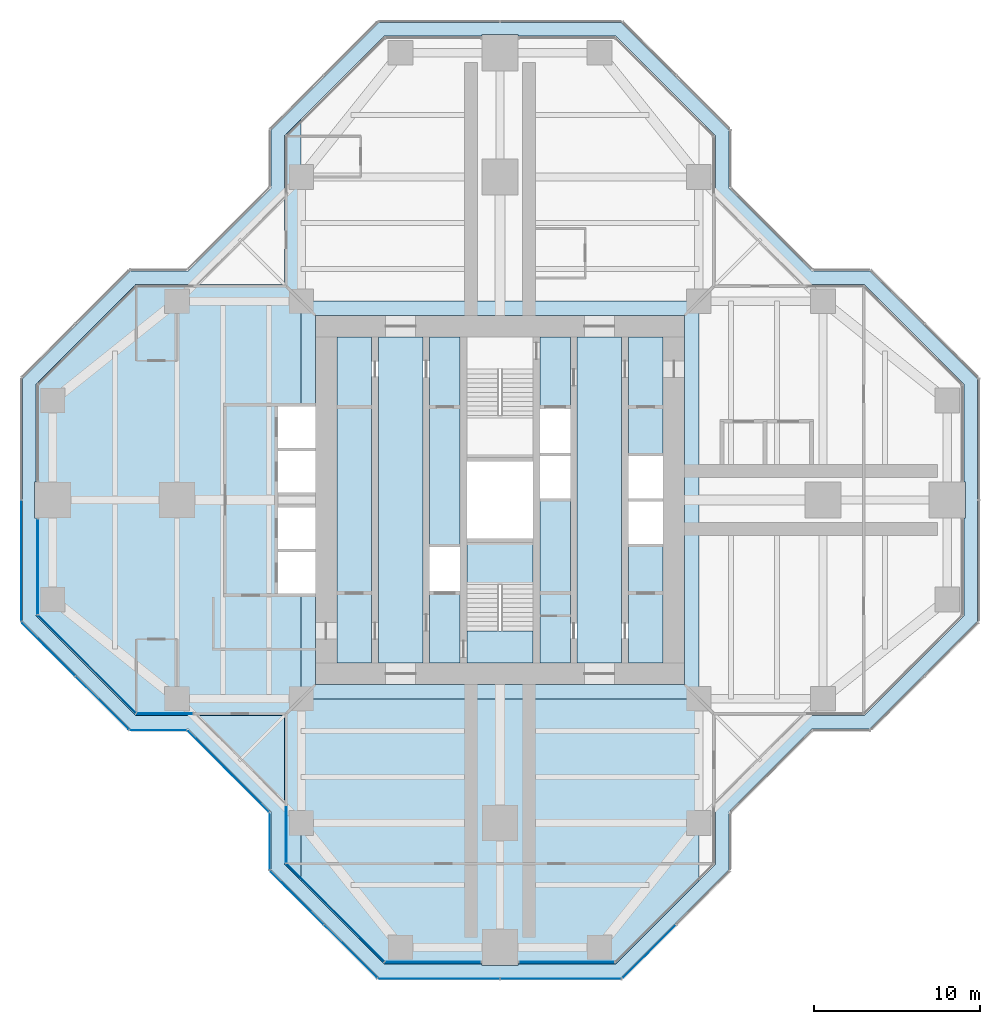
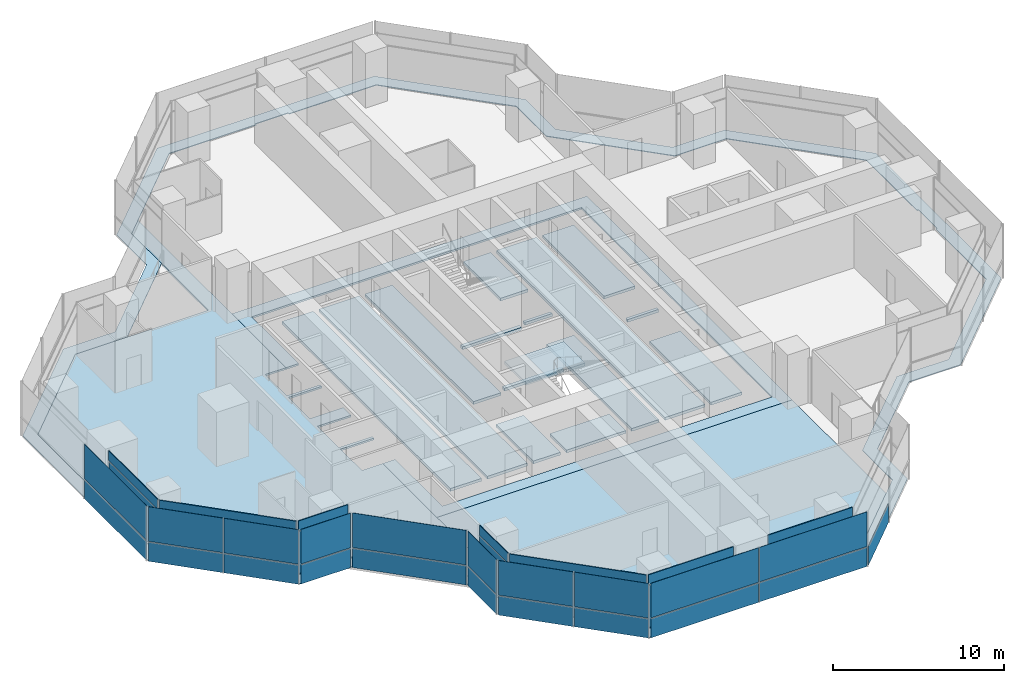
# One storey, part 10 of 17: 36 plates, 7 slabs, 16 elements without a shape of their own.
"""IFC4 building model written with IfcOpenShell, lengths in metres."""

from ifc_helpers import new_model, si_unit, direction, frame, origin, origin_2d, place, context, subcontext, project, spatial, polyline, rectangle, outline, extrude, material, layer, layer_set, type_object, element, aggregate, save


model = new_model("IFC4")

# Units and contexts
model_context = context("Model", 3, precision=1e-05, world=origin(), true_north=direction((0.0, 1.0)))
body_context = subcontext(model_context, "Body", "Model", "MODEL_VIEW")
ifc_project = project(units=[si_unit("LENGTHUNIT", "METRE"), si_unit("AREAUNIT", "SQUARE_METRE"), si_unit("VOLUMEUNIT", "CUBIC_METRE"), si_unit("PLANEANGLEUNIT", "RADIAN"), si_unit("MASSUNIT", "GRAM", prefix="KILO")], contexts=[model_context])

# Site, building, storey
site_placement = place(None, origin())
site = spatial("IfcSite", under=ifc_project, at=site_placement, CompositionType="ELEMENT")
building_placement = place(site_placement, origin())
building = spatial("IfcBuilding", under=site, at=building_placement, Name="Mizan Broadcast Tower", CompositionType="ELEMENT")
storey_placement = place(building_placement, frame((0.0, 0.0, 208.800048828125)))
storey = spatial("IfcBuildingStorey", under=building, at=storey_placement, Name="L48", CompositionType="ELEMENT", Elevation=208.800048828125)

# Plate
ifc_material_1 = material(Name="Aluminium grating", Category="aluminium")
ifc_layer_1 = layer(ifc_material_1, 0.050048828125)
ifc_layer_set_1 = layer_set([ifc_layer_1], Name="Aluminium grating")
plate_type_1 = type_object("IfcPlateType", Name="CAVITY GRATING", PredefinedType="USERDEFINED", material=ifc_layer_set_1)
plate_1_placement = place(storey_placement, frame((0.0, 0.0, -0.050048828125)))
element("IfcPlate", 1, at=plate_1_placement, inside=storey, type_object=plate_type_1, Name="Cavity grating L48", ObjectType="GRATING", PredefinedType="USERDEFINED", context=body_context, shape_type="SweptSolid", body=[
    extrude(outline(polyline([(13.820068359375, -18.839599609375), (18.839599609375, -13.820068359375), (22.339599609375, -13.820068359375), (28.820068359375, -7.339599609375), (28.820068359375, 7.339599609375), (22.339599609375, 13.820068359375), (18.839599609375, 13.820068359375), (13.820068359375, 18.839599609375), (13.820068359375, 22.339599609375), (7.339599609375, 28.820068359375), (-7.339599609375, 28.820068359375), (-13.820068359375, 22.339599609375), (-13.820068359375, 18.839599609375), (-18.839599609375, 13.820068359375), (-22.339599609375, 13.820068359375), (-28.820068359375, 7.339599609375), (-28.820068359375, -7.339599609375), (-22.339599609375, -13.820068359375), (-18.839599609375, -13.820068359375), (-13.820068359375, -18.839599609375), (-13.820068359375, -22.339599609375), (-7.339599609375, -28.820068359375), (7.339599609375, -28.820068359375), (13.820068359375, -22.339599609375), (13.820068359375, -18.839599609375)]), holes=[polyline([(28.0, -1.10009765625), (28.0, -7.0), (22.0, -13.0), (18.5, -13.0), (13.0, -18.5), (13.0, -22.0), (7.0, -28.0), (1.10009765625, -28.0), (1.10009765625, -28.10009765625), (-1.10009765625, -28.10009765625), (-1.10009765625, -28.0), (-7.0, -28.0), (-13.0, -22.0), (-13.0, -18.5), (-18.5, -13.0), (-22.0, -13.0), (-28.0, -7.0), (-28.0, -1.10009765625), (-28.10009765625, -1.10009765625), (-28.10009765625, 1.10009765625), (-28.0, 1.10009765625), (-28.0, 7.0), (-22.0, 13.0), (-18.5, 13.0), (-13.0, 18.5), (-13.0, 22.0), (-7.0, 28.0), (-1.10009765625, 28.0), (-1.10009765625, 28.10009765625), (1.10009765625, 28.10009765625), (1.10009765625, 28.0), (7.0, 28.0), (13.0, 22.0), (13.0, 18.5), (18.5, 13.0), (22.0, 13.0), (28.0, 7.0), (28.0, 1.10009765625), (28.10009765625, 1.10009765625), (28.10009765625, -1.10009765625), (28.0, -1.10009765625)])]), origin(), (0.0, 0.0, 1.0), 0.050048828125),
])

# Slabs
ifc_material_2 = material(Name="Concrete C32/40", Category="concrete")
ifc_layer_2 = layer(ifc_material_2, 0.1298828125)
ifc_layer_set_2 = layer_set([ifc_layer_2], Name="Concrete C32/40")
slab_type_1 = type_object("IfcSlabType", Name="COMPOSITE DECK SLAB 130", PredefinedType="FLOOR", material=ifc_layer_set_2)
slab_1_placement = place(storey_placement, frame((0.0, 0.0, -0.130126953125)))
element("IfcSlab", 2, at=slab_1_placement, inside=storey, type_object=slab_type_1, Name="Floor slab L48 centre", PredefinedType="FLOOR", context=body_context, shape_type="SweptSolid", body=[
    extrude(outline(polyline([(-11.14990234375, -5.64990234375), (-12.0, -5.64990234375), (-12.0, -12.0), (12.0, -12.0), (12.0, 12.0), (-12.0, 12.0), (-12.0, 5.64990234375), (-11.14990234375, 5.64990234375), (-11.14990234375, 11.14990234375), (11.14990234375, 11.14990234375), (11.14990234375, -11.14990234375), (-11.14990234375, -11.14990234375), (-11.14990234375, -5.64990234375)])), origin(), (0.0, 0.0, 1.0), 0.130126953125),
])
slab_2_placement = place(storey_placement, frame((0.0, 0.0, -0.130126953125)))
element("IfcSlab", 3, at=slab_2_placement, inside=storey, type_object=slab_type_1, Name="Floor slab L48 west arm", PredefinedType="FLOOR", context=body_context, shape_type="SweptSolid", body=[
    extrude(outline(polyline([(-22.0, 13.0), (-28.0, 7.0), (-28.0, -7.0), (-22.0, -13.0), (-13.0, -13.0), (-13.0, -22.0), (-12.0, -23.0), (-12.0, -5.64990234375), (-13.39990234375, -5.64990234375), (-13.39990234375, -3.14990234375), (-11.14990234375, -3.14990234375), (-11.14990234375, -2.949951171875), (-13.39990234375, -2.949951171875), (-13.39990234375, -0.449951171875), (-11.14990234375, -0.449951171875), (-11.14990234375, 0.449951171875), (-13.39990234375, 0.449951171875), (-13.39990234375, 2.949951171875), (-11.14990234375, 2.949951171875), (-11.14990234375, 3.14990234375), (-13.39990234375, 3.14990234375), (-13.39990234375, 5.64990234375), (-12.0, 5.64990234375), (-12.0, 23.0), (-13.0, 22.0), (-13.0, 13.0), (-22.0, 13.0)])), origin(), (0.0, 0.0, 1.0), 0.130126953125),
])
slab_3_placement = place(storey_placement, frame((0.0, 0.0, -0.130126953125)))
element("IfcSlab", 4, at=slab_3_placement, inside=storey, type_object=slab_type_1, Name="Floor slab L48 south arm", PredefinedType="FLOOR", context=body_context, shape_type="SweptSolid", body=[
    extrude(outline(polyline([(7.0, -28.0), (12.0, -23.0), (12.0, -12.0), (-12.0, -12.0), (-12.0, -23.0), (-7.0, -28.0), (7.0, -28.0)])), origin(), (0.0, 0.0, 1.0), 0.130126953125),
])
ifc_material_3 = material(Name="Concrete C40/50", Category="concrete")
ifc_layer_3 = layer(ifc_material_3, 0.199951171875)
ifc_layer_set_3 = layer_set([ifc_layer_3], Name="Concrete C40/50")
slab_type_2 = type_object("IfcSlabType", Name="CORE FLOOR 200", PredefinedType="FLOOR", material=ifc_layer_set_3)
slab_4_placement = place(storey_placement, frame((0.0, 0.0, -0.199951171875)))
element("IfcSlab", 5, at=slab_4_placement, inside=storey, type_object=slab_type_2, Name="Core floor L48", PredefinedType="FLOOR", context=body_context, shape_type="SweptSolid", body=[
    extrude(outline(polyline([(-9.85009765625, -9.85009765625), (-7.75, -9.85009765625), (-7.75, 9.85009765625), (-9.85009765625, 9.85009765625), (-9.85009765625, -9.85009765625)])), origin(), (0.0, 0.0, 1.0), 0.199951171875),
    extrude(outline(polyline([(-4.64990234375, 9.85009765625), (-7.35009765625, 9.85009765625), (-7.35009765625, -9.85009765625), (-4.64990234375, -9.85009765625), (-4.64990234375, 9.85009765625)])), origin(), (0.0, 0.0, 1.0), 0.199951171875),
    extrude(outline(polyline([(-4.25, -5.5), (-4.25, -9.85009765625), (-2.39990234375, -9.85009765625), (-2.39990234375, -5.5), (-4.25, -5.5)])), origin(), (0.0, 0.0, 1.0), 0.199951171875),
    extrude(outline(polyline([(-4.25, -2.85009765625), (-2.39990234375, -2.85009765625), (-2.39990234375, 9.85009765625), (-4.25, 9.85009765625), (-4.25, -2.85009765625)])), origin(), (0.0, 0.0, 1.0), 0.199951171875),
    extrude(outline(polyline([(2.0, -2.324951171875), (-2.0, -2.324951171875), (-2.0, -2.574951171875), (2.0, -2.574951171875), (2.0, -2.324951171875)])), origin(), (0.0, 0.0, 1.0), 0.199951171875),
    extrude(outline(polyline([(2.0, 2.574951171875), (-2.0, 2.574951171875), (-2.0, 2.324951171875), (2.0, 2.324951171875), (2.0, 2.574951171875)])), origin(), (0.0, 0.0, 1.0), 0.199951171875),
    extrude(outline(polyline([(4.25, -9.85009765625), (4.25, 0.10009765625), (2.39990234375, 0.10009765625), (2.39990234375, -9.85009765625), (4.25, -9.85009765625)])), origin(), (0.0, 0.0, 1.0), 0.199951171875),
    extrude(outline(polyline([(4.25, 2.64990234375), (4.25, 2.85009765625), (2.39990234375, 2.85009765625), (2.39990234375, 2.64990234375), (4.25, 2.64990234375)])), origin(), (0.0, 0.0, 1.0), 0.199951171875),
    extrude(outline(polyline([(4.25, 5.5), (4.25, 9.85009765625), (2.39990234375, 9.85009765625), (2.39990234375, 5.5), (4.25, 5.5)])), origin(), (0.0, 0.0, 1.0), 0.199951171875),
    extrude(outline(polyline([(4.64990234375, 9.85009765625), (4.64990234375, -9.85009765625), (7.35009765625, -9.85009765625), (7.35009765625, 9.85009765625), (4.64990234375, 9.85009765625)])), origin(), (0.0, 0.0, 1.0), 0.199951171875),
    extrude(outline(polyline([(9.85009765625, -9.85009765625), (9.85009765625, -2.64990234375), (7.75, -2.64990234375), (7.75, -9.85009765625), (9.85009765625, -9.85009765625)])), origin(), (0.0, 0.0, 1.0), 0.199951171875),
    extrude(outline(polyline([(9.85009765625, -0.10009765625), (9.85009765625, 0.10009765625), (7.75, 0.10009765625), (7.75, -0.10009765625), (9.85009765625, -0.10009765625)])), origin(), (0.0, 0.0, 1.0), 0.199951171875),
    extrude(outline(polyline([(7.75, 9.85009765625), (7.75, 2.64990234375), (9.85009765625, 2.64990234375), (9.85009765625, 9.85009765625), (7.75, 9.85009765625)])), origin(), (0.0, 0.0, 1.0), 0.199951171875),
])

# Curtain wall, plate
ifc_material_4 = material(Name="Aluminium framed glazing", Category="aluminium")
curtain_wall_type_1 = type_object("IfcCurtainWallType", Name="INNER SKIN HIGH ZONE", PredefinedType="USERDEFINED", material=ifc_material_4)
curtain_wall_1_placement = place(storey_placement, origin())
curtain_wall_1 = element("IfcCurtainWall", 6, at=curtain_wall_1_placement, inside=storey, type_object=curtain_wall_type_1, Name="Inner skin high zone L48 W end", ObjectType="INNER SKIN HIGH ZONE", PredefinedType="USERDEFINED")
ifc_material_5 = material(Name="Double glazing, clear low-e", Category="glass")
ifc_layer_4 = layer(ifc_material_5, 0.028076171875)
ifc_layer_set_4 = layer_set([ifc_layer_4], Name="Double glazing, clear low-e")
plate_type_2 = type_object("IfcPlateType", Name="INNER SKIN GLAZING UNIT", PredefinedType="CURTAIN_PANEL", material=ifc_layer_set_4)
plate_2_placement = place(storey_placement, frame((-27.89990234375, -4.029296875, 0.0), z_axis=(0.0, 0.0, 1.0), x_axis=(0.0, -1.0, 0.0)))
plate_2 = element("IfcPlate", 7, at=plate_2_placement, type_object=plate_type_2, Name="Inner skin high zone L48 W end panel 1.1", PredefinedType="CURTAIN_PANEL", context=body_context, shape_type="SweptSolid", body=[
    extrude(rectangle(XDim=5.738525390625, YDim=0.028076171875, at=origin_2d()), origin(), (0.0, 0.0, 1.0), 3.0),
])

curtain_wall_2_placement = place(storey_placement, origin())
curtain_wall_2 = element("IfcCurtainWall", 8, at=curtain_wall_2_placement, inside=storey, type_object=curtain_wall_type_1, Name="Inner skin high zone L48 W chamfer", ObjectType="INNER SKIN HIGH ZONE", PredefinedType="USERDEFINED")
plate_3_placement = place(storey_placement, frame((-24.92919921875, -9.92919921875, 0.0), z_axis=(0.0, 0.0, 1.0), x_axis=(0.707106781187, -0.707106781187, 0.0)))
plate_3 = element("IfcPlate", 9, at=plate_3_placement, type_object=plate_type_2, Name="Inner skin high zone L48 W chamfer panel 1.1", PredefinedType="CURTAIN_PANEL", context=body_context, shape_type="SweptSolid", body=[
    extrude(rectangle(XDim=8.282470703125, YDim=0.028076171875, at=origin_2d()), origin(), (0.0, 0.0, 1.0), 3.0),
])

curtain_wall_3_placement = place(storey_placement, origin())
curtain_wall_3 = element("IfcCurtainWall", 10, at=curtain_wall_3_placement, inside=storey, type_object=curtain_wall_type_1, Name="Inner skin high zone L48 W side", ObjectType="INNER SKIN HIGH ZONE", PredefinedType="USERDEFINED")
plate_4_placement = place(storey_placement, frame((-20.229248046875, -12.89990234375, 0.0), z_axis=(0.0, 0.0, 1.0), x_axis=(1.0, 0.0, 0.0)))
plate_4 = element("IfcPlate", 11, at=plate_4_placement, type_object=plate_type_2, Name="Inner skin high zone L48 W side panel 1.1", PredefinedType="CURTAIN_PANEL", context=body_context, shape_type="SweptSolid", body=[
    extrude(rectangle(XDim=3.338623046875, YDim=0.028076171875, at=origin_2d()), origin(), (0.0, 0.0, 1.0), 3.0),
])

curtain_wall_4_placement = place(storey_placement, origin())
curtain_wall_4 = element("IfcCurtainWall", 12, at=curtain_wall_4_placement, inside=storey, type_object=curtain_wall_type_1, Name="Inner skin high zone L48 S side", ObjectType="INNER SKIN HIGH ZONE", PredefinedType="USERDEFINED")
plate_5_placement = place(storey_placement, frame((-12.89990234375, -20.229248046875, 0.0), z_axis=(0.0, 0.0, 1.0), x_axis=(0.0, -1.0, 0.0)))
plate_5 = element("IfcPlate", 13, at=plate_5_placement, type_object=plate_type_2, Name="Inner skin high zone L48 S side panel 1.1", PredefinedType="CURTAIN_PANEL", context=body_context, shape_type="SweptSolid", body=[
    extrude(rectangle(XDim=3.338623046875, YDim=0.028076171875, at=origin_2d()), origin(), (0.0, 0.0, 1.0), 3.0),
])

curtain_wall_5_placement = place(storey_placement, origin())
curtain_wall_5 = element("IfcCurtainWall", 14, at=curtain_wall_5_placement, inside=storey, type_object=curtain_wall_type_1, Name="Inner skin high zone L48 S chamfer", ObjectType="INNER SKIN HIGH ZONE", PredefinedType="USERDEFINED")
plate_6_placement = place(storey_placement, frame((-9.92919921875, -24.92919921875, 0.0), z_axis=(0.0, 0.0, 1.0), x_axis=(0.707106781187, -0.707106781187, 0.0)))
plate_6 = element("IfcPlate", 15, at=plate_6_placement, type_object=plate_type_2, Name="Inner skin high zone L48 S chamfer panel 1.1", PredefinedType="CURTAIN_PANEL", context=body_context, shape_type="SweptSolid", body=[
    extrude(rectangle(XDim=8.282470703125, YDim=0.028076171875, at=origin_2d()), origin(), (0.0, 0.0, 1.0), 3.0),
])

curtain_wall_6_placement = place(storey_placement, origin())
curtain_wall_6 = element("IfcCurtainWall", 16, at=curtain_wall_6_placement, inside=storey, type_object=curtain_wall_type_1, Name="Inner skin high zone L48 S end", ObjectType="INNER SKIN HIGH ZONE", PredefinedType="USERDEFINED")
plate_7_placement = place(storey_placement, frame((-4.029296875, -27.89990234375, 0.0), z_axis=(0.0, 0.0, 1.0), x_axis=(1.0, 0.0, 0.0)))
plate_7 = element("IfcPlate", 17, at=plate_7_placement, type_object=plate_type_2, Name="Inner skin high zone L48 S end panel 1.1", PredefinedType="CURTAIN_PANEL", context=body_context, shape_type="SweptSolid", body=[
    extrude(rectangle(XDim=5.738525390625, YDim=0.028076171875, at=origin_2d()), origin(), (0.0, 0.0, 1.0), 3.0),
])

curtain_wall_7_placement = place(storey_placement, origin())
curtain_wall_7 = element("IfcCurtainWall", 18, at=curtain_wall_7_placement, inside=storey, type_object=curtain_wall_type_1, Name="Inner skin high zone L48 S end", ObjectType="INNER SKIN HIGH ZONE", PredefinedType="USERDEFINED")
plate_8_placement = place(storey_placement, frame((4.029296875, -27.89990234375, 0.0), z_axis=(0.0, 0.0, 1.0), x_axis=(1.0, 0.0, 0.0)))
plate_8 = element("IfcPlate", 19, at=plate_8_placement, type_object=plate_type_2, Name="Inner skin high zone L48 S end panel 1.1", PredefinedType="CURTAIN_PANEL", context=body_context, shape_type="SweptSolid", body=[
    extrude(rectangle(XDim=5.738525390625, YDim=0.028076171875, at=origin_2d()), origin(), (0.0, 0.0, 1.0), 3.0),
])

# Plate
ifc_material_6 = material(Name="Insulated aluminium spandrel panel, pale anodised", Category="aluminium")
ifc_layer_5 = layer(ifc_material_6, 0.050048828125)
ifc_layer_set_5 = layer_set([ifc_layer_5], Name="Insulated aluminium spandrel panel, pale anodised")
plate_type_3 = type_object("IfcPlateType", Name="INNER SKIN SPANDREL PANEL", PredefinedType="CURTAIN_PANEL", material=ifc_layer_set_5)
plate_9_placement = place(storey_placement, frame((-27.89990234375, -4.029296875, 3.06005859375), z_axis=(0.0, 0.0, 1.0), x_axis=(0.0, -1.0, 0.0)))
plate_9 = element("IfcPlate", 20, at=plate_9_placement, type_object=plate_type_3, Name="Inner skin high zone L48 W end panel 1.2", PredefinedType="CURTAIN_PANEL", context=body_context, shape_type="SweptSolid", body=[
    extrude(rectangle(XDim=5.738525390625, YDim=0.050048828125, at=origin_2d()), origin(), (0.0, 0.0, 1.0), 0.7099609375),
])

aggregate(curtain_wall_1, [plate_2, plate_9])

plate_10_placement = place(storey_placement, frame((-24.92919921875, -9.92919921875, 3.06005859375), z_axis=(0.0, 0.0, 1.0), x_axis=(0.707106781187, -0.707106781187, 0.0)))
plate_10 = element("IfcPlate", 21, at=plate_10_placement, type_object=plate_type_3, Name="Inner skin high zone L48 W chamfer panel 1.2", PredefinedType="CURTAIN_PANEL", context=body_context, shape_type="SweptSolid", body=[
    extrude(rectangle(XDim=8.282470703125, YDim=0.050048828125, at=origin_2d()), origin(), (0.0, 0.0, 1.0), 0.7099609375),
])

aggregate(curtain_wall_2, [plate_3, plate_10])

plate_11_placement = place(storey_placement, frame((-20.229248046875, -12.89990234375, 3.06005859375), z_axis=(0.0, 0.0, 1.0), x_axis=(1.0, 0.0, 0.0)))
plate_11 = element("IfcPlate", 22, at=plate_11_placement, type_object=plate_type_3, Name="Inner skin high zone L48 W side panel 1.2", PredefinedType="CURTAIN_PANEL", context=body_context, shape_type="SweptSolid", body=[
    extrude(rectangle(XDim=3.338623046875, YDim=0.050048828125, at=origin_2d()), origin(), (0.0, 0.0, 1.0), 0.7099609375),
])

aggregate(curtain_wall_3, [plate_4, plate_11])

plate_12_placement = place(storey_placement, frame((-12.89990234375, -20.229248046875, 3.06005859375), z_axis=(0.0, 0.0, 1.0), x_axis=(0.0, -1.0, 0.0)))
plate_12 = element("IfcPlate", 23, at=plate_12_placement, type_object=plate_type_3, Name="Inner skin high zone L48 S side panel 1.2", PredefinedType="CURTAIN_PANEL", context=body_context, shape_type="SweptSolid", body=[
    extrude(rectangle(XDim=3.338623046875, YDim=0.050048828125, at=origin_2d()), origin(), (0.0, 0.0, 1.0), 0.7099609375),
])

aggregate(curtain_wall_4, [plate_5, plate_12])

plate_13_placement = place(storey_placement, frame((-9.92919921875, -24.92919921875, 3.06005859375), z_axis=(0.0, 0.0, 1.0), x_axis=(0.707106781187, -0.707106781187, 0.0)))
plate_13 = element("IfcPlate", 24, at=plate_13_placement, type_object=plate_type_3, Name="Inner skin high zone L48 S chamfer panel 1.2", PredefinedType="CURTAIN_PANEL", context=body_context, shape_type="SweptSolid", body=[
    extrude(rectangle(XDim=8.282470703125, YDim=0.050048828125, at=origin_2d()), origin(), (0.0, 0.0, 1.0), 0.7099609375),
])

aggregate(curtain_wall_5, [plate_6, plate_13])

plate_14_placement = place(storey_placement, frame((-4.029296875, -27.89990234375, 3.06005859375), z_axis=(0.0, 0.0, 1.0), x_axis=(1.0, 0.0, 0.0)))
plate_14 = element("IfcPlate", 25, at=plate_14_placement, type_object=plate_type_3, Name="Inner skin high zone L48 S end panel 1.2", PredefinedType="CURTAIN_PANEL", context=body_context, shape_type="SweptSolid", body=[
    extrude(rectangle(XDim=5.738525390625, YDim=0.050048828125, at=origin_2d()), origin(), (0.0, 0.0, 1.0), 0.7099609375),
])

aggregate(curtain_wall_6, [plate_7, plate_14])

plate_15_placement = place(storey_placement, frame((4.029296875, -27.89990234375, 3.06005859375), z_axis=(0.0, 0.0, 1.0), x_axis=(1.0, 0.0, 0.0)))
plate_15 = element("IfcPlate", 26, at=plate_15_placement, type_object=plate_type_3, Name="Inner skin high zone L48 S end panel 1.2", PredefinedType="CURTAIN_PANEL", context=body_context, shape_type="SweptSolid", body=[
    extrude(rectangle(XDim=5.738525390625, YDim=0.050048828125, at=origin_2d()), origin(), (0.0, 0.0, 1.0), 0.7099609375),
])

aggregate(curtain_wall_7, [plate_8, plate_15])

# Curtain wall, plates
ifc_material_7 = material(Name="Aluminium framed glazing", Category="aluminium")
curtain_wall_type_2 = type_object("IfcCurtainWallType", Name="OUTER SKIN", PredefinedType="USERDEFINED", material=ifc_material_7)
curtain_wall_8_placement = place(storey_placement, origin())
curtain_wall_8 = element("IfcCurtainWall", 27, at=curtain_wall_8_placement, inside=storey, type_object=curtain_wall_type_2, Name="Outer skin L48 W chamfer", ObjectType="OUTER SKIN", PredefinedType="USERDEFINED")
ifc_material_8 = material(Name="Laminated clear glass", Category="glass")
ifc_layer_6 = layer(ifc_material_8, 0.02001953125)
ifc_layer_set_6 = layer_set([ifc_layer_6], Name="Laminated clear glass")
plate_type_4 = type_object("IfcPlateType", Name="OUTER SKIN CLEAR GLASS", PredefinedType="CURTAIN_PANEL", material=ifc_layer_set_6)
plate_16_placement = place(storey_placement, frame((-27.254150390625, -9.018798828125, 0.0), z_axis=(0.0, 0.0, 1.0), x_axis=(0.707106781187, -0.707106781187, 0.0)))
plate_16 = element("IfcPlate", 28, at=plate_16_placement, type_object=plate_type_4, Name="Outer skin L48 W chamfer panel 1.1", PredefinedType="CURTAIN_PANEL", context=body_context, shape_type="SweptSolid", body=[
    extrude(rectangle(XDim=4.495361328125, YDim=0.02001953125, at=origin_2d()), origin(), (0.0, 0.0, 1.0), 1.3701171875),
])
plate_17_placement = place(storey_placement, frame((-27.254150390625, -9.018798828125, 1.43017578125), z_axis=(0.0, 0.0, 1.0), x_axis=(0.707106781187, -0.707106781187, 0.0)))
plate_17 = element("IfcPlate", 29, at=plate_17_placement, type_object=plate_type_4, Name="Outer skin L48 W chamfer panel 1.2", PredefinedType="CURTAIN_PANEL", context=body_context, shape_type="SweptSolid", body=[
    extrude(rectangle(XDim=4.495361328125, YDim=0.02001953125, at=origin_2d()), origin(), (0.0, 0.0, 1.0), 2.469970703125),
])

curtain_wall_9_placement = place(storey_placement, origin())
curtain_wall_9 = element("IfcCurtainWall", 30, at=curtain_wall_9_placement, inside=storey, type_object=curtain_wall_type_2, Name="Outer skin L48 W side", ObjectType="OUTER SKIN", PredefinedType="USERDEFINED")
plate_18_placement = place(storey_placement, frame((-20.622802734375, -13.89990234375, 0.0), z_axis=(0.0, 0.0, 1.0), x_axis=(1.0, 0.0, 0.0)))
plate_18 = element("IfcPlate", 31, at=plate_18_placement, type_object=plate_type_4, Name="Outer skin L48 W side panel 1.1", PredefinedType="CURTAIN_PANEL", context=body_context, shape_type="SweptSolid", body=[
    extrude(rectangle(XDim=3.340087890625, YDim=0.02001953125, at=origin_2d()), origin(), (0.0, 0.0, 1.0), 1.3701171875),
])
plate_19_placement = place(storey_placement, frame((-20.622802734375, -13.89990234375, 1.43017578125), z_axis=(0.0, 0.0, 1.0), x_axis=(1.0, 0.0, 0.0)))
plate_19 = element("IfcPlate", 32, at=plate_19_placement, type_object=plate_type_4, Name="Outer skin L48 W side panel 1.2", PredefinedType="CURTAIN_PANEL", context=body_context, shape_type="SweptSolid", body=[
    extrude(rectangle(XDim=3.340087890625, YDim=0.02001953125, at=origin_2d()), origin(), (0.0, 0.0, 1.0), 2.469970703125),
])
aggregate(curtain_wall_9, [plate_18, plate_19])

curtain_wall_10_placement = place(storey_placement, origin())
curtain_wall_10 = element("IfcCurtainWall", 33, at=curtain_wall_10_placement, inside=storey, type_object=curtain_wall_type_2, Name="Outer skin L48 W chamfer", ObjectType="OUTER SKIN", PredefinedType="USERDEFINED")
plate_20_placement = place(storey_placement, frame((-16.386474609375, -16.386474609375, 0.0), z_axis=(0.0, 0.0, 1.0), x_axis=(0.707106781187, -0.707106781187, 0.0)))
plate_20 = element("IfcPlate", 34, at=plate_20_placement, type_object=plate_type_4, Name="Outer skin L48 W chamfer panel 1.1", PredefinedType="CURTAIN_PANEL", context=body_context, shape_type="SweptSolid", body=[
    extrude(rectangle(XDim=6.87255859375, YDim=0.02001953125, at=origin_2d()), origin(), (0.0, 0.0, 1.0), 1.3701171875),
])
plate_21_placement = place(storey_placement, frame((-16.386474609375, -16.386474609375, 1.43017578125), z_axis=(0.0, 0.0, 1.0), x_axis=(0.707106781187, -0.707106781187, 0.0)))
plate_21 = element("IfcPlate", 35, at=plate_21_placement, type_object=plate_type_4, Name="Outer skin L48 W chamfer panel 1.2", PredefinedType="CURTAIN_PANEL", context=body_context, shape_type="SweptSolid", body=[
    extrude(rectangle(XDim=6.87255859375, YDim=0.02001953125, at=origin_2d()), origin(), (0.0, 0.0, 1.0), 2.469970703125),
])
aggregate(curtain_wall_10, [plate_20, plate_21])

curtain_wall_11_placement = place(storey_placement, origin())
curtain_wall_11 = element("IfcCurtainWall", 36, at=curtain_wall_11_placement, inside=storey, type_object=curtain_wall_type_2, Name="Outer skin L48 S side", ObjectType="OUTER SKIN", PredefinedType="USERDEFINED")
plate_22_placement = place(storey_placement, frame((-13.89990234375, -20.622802734375, 0.0), z_axis=(0.0, 0.0, 1.0), x_axis=(0.0, -1.0, 0.0)))
plate_22 = element("IfcPlate", 37, at=plate_22_placement, type_object=plate_type_4, Name="Outer skin L48 S side panel 1.1", PredefinedType="CURTAIN_PANEL", context=body_context, shape_type="SweptSolid", body=[
    extrude(rectangle(XDim=3.340087890625, YDim=0.02001953125, at=origin_2d()), origin(), (0.0, 0.0, 1.0), 1.3701171875),
])
plate_23_placement = place(storey_placement, frame((-13.89990234375, -20.622802734375, 1.43017578125), z_axis=(0.0, 0.0, 1.0), x_axis=(0.0, -1.0, 0.0)))
plate_23 = element("IfcPlate", 38, at=plate_23_placement, type_object=plate_type_4, Name="Outer skin L48 S side panel 1.2", PredefinedType="CURTAIN_PANEL", context=body_context, shape_type="SweptSolid", body=[
    extrude(rectangle(XDim=3.340087890625, YDim=0.02001953125, at=origin_2d()), origin(), (0.0, 0.0, 1.0), 2.469970703125),
])
aggregate(curtain_wall_11, [plate_22, plate_23])

curtain_wall_12_placement = place(storey_placement, origin())
curtain_wall_12 = element("IfcCurtainWall", 39, at=curtain_wall_12_placement, inside=storey, type_object=curtain_wall_type_2, Name="Outer skin L48 S chamfer", ObjectType="OUTER SKIN", PredefinedType="USERDEFINED")
plate_24_placement = place(storey_placement, frame((-12.254150390625, -24.018798828125, 0.0), z_axis=(0.0, 0.0, 1.0), x_axis=(0.707106781187, -0.707106781187, 0.0)))
plate_24 = element("IfcPlate", 40, at=plate_24_placement, type_object=plate_type_4, Name="Outer skin L48 S chamfer panel 1.1", PredefinedType="CURTAIN_PANEL", context=body_context, shape_type="SweptSolid", body=[
    extrude(rectangle(XDim=4.495361328125, YDim=0.02001953125, at=origin_2d()), origin(), (0.0, 0.0, 1.0), 1.3701171875),
])
plate_25_placement = place(storey_placement, frame((-12.254150390625, -24.018798828125, 1.43017578125), z_axis=(0.0, 0.0, 1.0), x_axis=(0.707106781187, -0.707106781187, 0.0)))
plate_25 = element("IfcPlate", 41, at=plate_25_placement, type_object=plate_type_4, Name="Outer skin L48 S chamfer panel 1.2", PredefinedType="CURTAIN_PANEL", context=body_context, shape_type="SweptSolid", body=[
    extrude(rectangle(XDim=4.495361328125, YDim=0.02001953125, at=origin_2d()), origin(), (0.0, 0.0, 1.0), 2.469970703125),
])

curtain_wall_13_placement = place(storey_placement, origin())
curtain_wall_13 = element("IfcCurtainWall", 42, at=curtain_wall_13_placement, inside=storey, type_object=curtain_wall_type_2, Name="Outer skin L48 S end", ObjectType="OUTER SKIN", PredefinedType="USERDEFINED")
plate_26_placement = place(storey_placement, frame((-3.66650390625, -28.89990234375, 0.0), z_axis=(0.0, 0.0, 1.0), x_axis=(1.0, 0.0, 0.0)))
plate_26 = element("IfcPlate", 43, at=plate_26_placement, type_object=plate_type_4, Name="Outer skin L48 S end panel 1.1", PredefinedType="CURTAIN_PANEL", context=body_context, shape_type="SweptSolid", body=[
    extrude(rectangle(XDim=7.252685546875, YDim=0.02001953125, at=origin_2d()), origin(), (0.0, 0.0, 1.0), 1.3701171875),
])
plate_27_placement = place(storey_placement, frame((-3.66650390625, -28.89990234375, 1.43017578125), z_axis=(0.0, 0.0, 1.0), x_axis=(1.0, 0.0, 0.0)))
plate_27 = element("IfcPlate", 44, at=plate_27_placement, type_object=plate_type_4, Name="Outer skin L48 S end panel 1.2", PredefinedType="CURTAIN_PANEL", context=body_context, shape_type="SweptSolid", body=[
    extrude(rectangle(XDim=7.252685546875, YDim=0.02001953125, at=origin_2d()), origin(), (0.0, 0.0, 1.0), 2.469970703125),
])

# Curtain wall, plate
curtain_wall_14_placement = place(storey_placement, origin())
curtain_wall_14 = element("IfcCurtainWall", 45, at=curtain_wall_14_placement, inside=storey, type_object=curtain_wall_type_2, Name="Outer skin L48 S chamfer", ObjectType="OUTER SKIN", PredefinedType="USERDEFINED")
plate_28_placement = place(storey_placement, frame((9.018798828125, -27.254150390625, 0.0), z_axis=(0.0, 0.0, 1.0), x_axis=(0.707106781187, 0.707106781187, 0.0)))
plate_28 = element("IfcPlate", 46, at=plate_28_placement, type_object=plate_type_4, Name="Outer skin L48 S chamfer panel 1.1", PredefinedType="CURTAIN_PANEL", context=body_context, shape_type="SweptSolid", body=[
    extrude(rectangle(XDim=4.495361328125, YDim=0.02001953125, at=origin_2d()), origin(), (0.0, 0.0, 1.0), 1.3701171875),
])
aggregate(curtain_wall_14, [plate_28])

# Curtain wall, plates
curtain_wall_15_placement = place(storey_placement, origin())
curtain_wall_15 = element("IfcCurtainWall", 47, at=curtain_wall_15_placement, inside=storey, type_object=curtain_wall_type_2, Name="Outer skin L48 W end", ObjectType="OUTER SKIN", PredefinedType="USERDEFINED")
ifc_material_9 = material(Name="Perforated aluminium, pale anodised", Category="aluminium")
ifc_layer_7 = layer(ifc_material_9, 0.011962890625)
ifc_layer_set_7 = layer_set([ifc_layer_7], Name="Perforated aluminium, pale anodised")
plate_type_5 = type_object("IfcPlateType", Name="OUTER SKIN PERFORATED SCREEN", PredefinedType="USERDEFINED", material=ifc_layer_set_7)
plate_29_placement = place(storey_placement, frame((-28.89990234375, -3.66650390625, 0.0), z_axis=(0.0, 0.0, 1.0), x_axis=(0.0, -1.0, 0.0)))
plate_29 = element("IfcPlate", 48, at=plate_29_placement, type_object=plate_type_5, Name="Outer skin L48 W end panel 2.1", ObjectType="SCREEN", PredefinedType="USERDEFINED", context=body_context, shape_type="SweptSolid", body=[
    extrude(rectangle(XDim=7.252685546875, YDim=0.011962890625, at=origin_2d()), origin(), (0.0, 0.0, 1.0), 1.3701171875),
])
plate_30_placement = place(storey_placement, frame((-28.89990234375, -3.66650390625, 1.43017578125), z_axis=(0.0, 0.0, 1.0), x_axis=(0.0, -1.0, 0.0)))
plate_30 = element("IfcPlate", 49, at=plate_30_placement, type_object=plate_type_5, Name="Outer skin L48 W end panel 2.2", ObjectType="SCREEN", PredefinedType="USERDEFINED", context=body_context, shape_type="SweptSolid", body=[
    extrude(rectangle(XDim=7.252685546875, YDim=0.011962890625, at=origin_2d()), origin(), (0.0, 0.0, 1.0), 2.469970703125),
])
aggregate(curtain_wall_15, [plate_29, plate_30])

# Plate
plate_31_placement = place(storey_placement, frame((-24.018798828125, -12.254150390625, 0.0), z_axis=(0.0, 0.0, 1.0), x_axis=(0.707106781187, -0.707106781187, 0.0)))
plate_31 = element("IfcPlate", 50, at=plate_31_placement, type_object=plate_type_5, Name="Outer skin L48 W chamfer panel 2.1", ObjectType="SCREEN", PredefinedType="USERDEFINED", context=body_context, shape_type="SweptSolid", body=[
    extrude(rectangle(XDim=4.495361328125, YDim=0.011962890625, at=origin_2d()), origin(), (0.0, 0.0, 1.0), 1.3701171875),
])

plate_32_placement = place(storey_placement, frame((-24.018798828125, -12.254150390625, 1.43017578125), z_axis=(0.0, 0.0, 1.0), x_axis=(0.707106781187, -0.707106781187, 0.0)))
plate_32 = element("IfcPlate", 51, at=plate_32_placement, type_object=plate_type_5, Name="Outer skin L48 W chamfer panel 2.2", ObjectType="SCREEN", PredefinedType="USERDEFINED", context=body_context, shape_type="SweptSolid", body=[
    extrude(rectangle(XDim=4.495361328125, YDim=0.011962890625, at=origin_2d()), origin(), (0.0, 0.0, 1.0), 2.469970703125),
])

aggregate(curtain_wall_8, [plate_16, plate_17, plate_31, plate_32])

plate_33_placement = place(storey_placement, frame((-9.018798828125, -27.254150390625, 0.0), z_axis=(0.0, 0.0, 1.0), x_axis=(0.707106781187, -0.707106781187, 0.0)))
plate_33 = element("IfcPlate", 52, at=plate_33_placement, type_object=plate_type_5, Name="Outer skin L48 S chamfer panel 2.1", ObjectType="SCREEN", PredefinedType="USERDEFINED", context=body_context, shape_type="SweptSolid", body=[
    extrude(rectangle(XDim=4.495361328125, YDim=0.011962890625, at=origin_2d()), origin(), (0.0, 0.0, 1.0), 1.3701171875),
])

plate_34_placement = place(storey_placement, frame((-9.018798828125, -27.254150390625, 1.43017578125), z_axis=(0.0, 0.0, 1.0), x_axis=(0.707106781187, -0.707106781187, 0.0)))
plate_34 = element("IfcPlate", 53, at=plate_34_placement, type_object=plate_type_5, Name="Outer skin L48 S chamfer panel 2.2", ObjectType="SCREEN", PredefinedType="USERDEFINED", context=body_context, shape_type="SweptSolid", body=[
    extrude(rectangle(XDim=4.495361328125, YDim=0.011962890625, at=origin_2d()), origin(), (0.0, 0.0, 1.0), 2.469970703125),
])

aggregate(curtain_wall_12, [plate_24, plate_25, plate_33, plate_34])

plate_35_placement = place(storey_placement, frame((3.66650390625, -28.89990234375, 0.0), z_axis=(0.0, 0.0, 1.0), x_axis=(1.0, 0.0, 0.0)))
plate_35 = element("IfcPlate", 54, at=plate_35_placement, type_object=plate_type_5, Name="Outer skin L48 S end panel 2.1", ObjectType="SCREEN", PredefinedType="USERDEFINED", context=body_context, shape_type="SweptSolid", body=[
    extrude(rectangle(XDim=7.252685546875, YDim=0.011962890625, at=origin_2d()), origin(), (0.0, 0.0, 1.0), 1.3701171875),
])

plate_36_placement = place(storey_placement, frame((3.66650390625, -28.89990234375, 1.43017578125), z_axis=(0.0, 0.0, 1.0), x_axis=(1.0, 0.0, 0.0)))
plate_36 = element("IfcPlate", 55, at=plate_36_placement, type_object=plate_type_5, Name="Outer skin L48 S end panel 2.2", ObjectType="SCREEN", PredefinedType="USERDEFINED", context=body_context, shape_type="SweptSolid", body=[
    extrude(rectangle(XDim=7.252685546875, YDim=0.011962890625, at=origin_2d()), origin(), (0.0, 0.0, 1.0), 2.469970703125),
])

aggregate(curtain_wall_13, [plate_26, plate_27, plate_35, plate_36])

# Stair, slabs
ifc_material_10 = material(Name="Concrete C40/50", Category="concrete")
stair_type = type_object("IfcStairType", Name="EXIT STAIR", PredefinedType="HALF_TURN_STAIR", material=ifc_material_10)
stair_placement = place(storey_placement, origin())
stair = element("IfcStair", 56, at=stair_placement, inside=storey, type_object=stair_type, Name="Stair A L48", PredefinedType="HALF_TURN_STAIR")
ifc_material_11 = material(Name="Concrete C40/50", Category="concrete")
ifc_layer_8 = layer(ifc_material_11, 0.199951171875)
ifc_layer_set_8 = layer_set([ifc_layer_8], Name="Concrete C40/50")
slab_type_3 = type_object("IfcSlabType", Name="STAIR LANDING 200", PredefinedType="LANDING", material=ifc_layer_set_8)
slab_5_placement = place(storey_placement, frame((0.0, 0.0, -0.199951171875)))
slab_5 = element("IfcSlab", 57, at=slab_5_placement, type_object=slab_type_3, Name="A landing 1", PredefinedType="LANDING", context=body_context, shape_type="SweptSolid", body=[
    extrude(outline(polyline([(-2.0, -9.85009765625), (-2.0, -7.89990234375), (2.0, -7.89990234375), (2.0, -9.85009765625), (-2.0, -9.85009765625)])), origin(), (0.0, 0.0, 1.0), 0.199951171875),
])
slab_6_placement = place(storey_placement, frame((0.0, 0.0, 1.75)))
slab_6 = element("IfcSlab", 58, at=slab_6_placement, type_object=slab_type_3, Name="A landing 2", PredefinedType="LANDING", context=body_context, shape_type="SweptSolid", body=[
    extrude(outline(polyline([(-2.0, -5.10009765625), (-2.0, -2.574951171875), (2.0, -2.574951171875), (2.0, -5.10009765625), (-2.0, -5.10009765625)])), origin(), (0.0, 0.0, 1.0), 0.199951171875),
])
aggregate(stair, [slab_5, slab_6])

# Slab
ifc_material_12 = material(Name="Concrete C32/40", Category="concrete")
ifc_layer_9 = layer(ifc_material_12, 0.1298828125)
ifc_layer_set_9 = layer_set([ifc_layer_9], Name="Concrete C32/40")
slab_type_4 = type_object("IfcSlabType", Name="WINTER GARDEN SLAB 130", PredefinedType="FLOOR", material=ifc_layer_set_9)
slab_7_placement = place(storey_placement, frame((0.0, 0.0, -0.130126953125)))
element("IfcSlab", 59, at=slab_7_placement, inside=storey, type_object=slab_type_4, Name="Winter garden slab L48 W", PredefinedType="FLOOR", context=body_context, shape_type="SweptSolid", body=[
    extrude(outline(polyline([(-13.0, -13.0), (-18.5, -13.0), (-13.0, -18.5), (-13.0, -13.0)])), origin(), (0.0, 0.0, 1.0), 0.130126953125),
])

save(model, "model.ifc")
